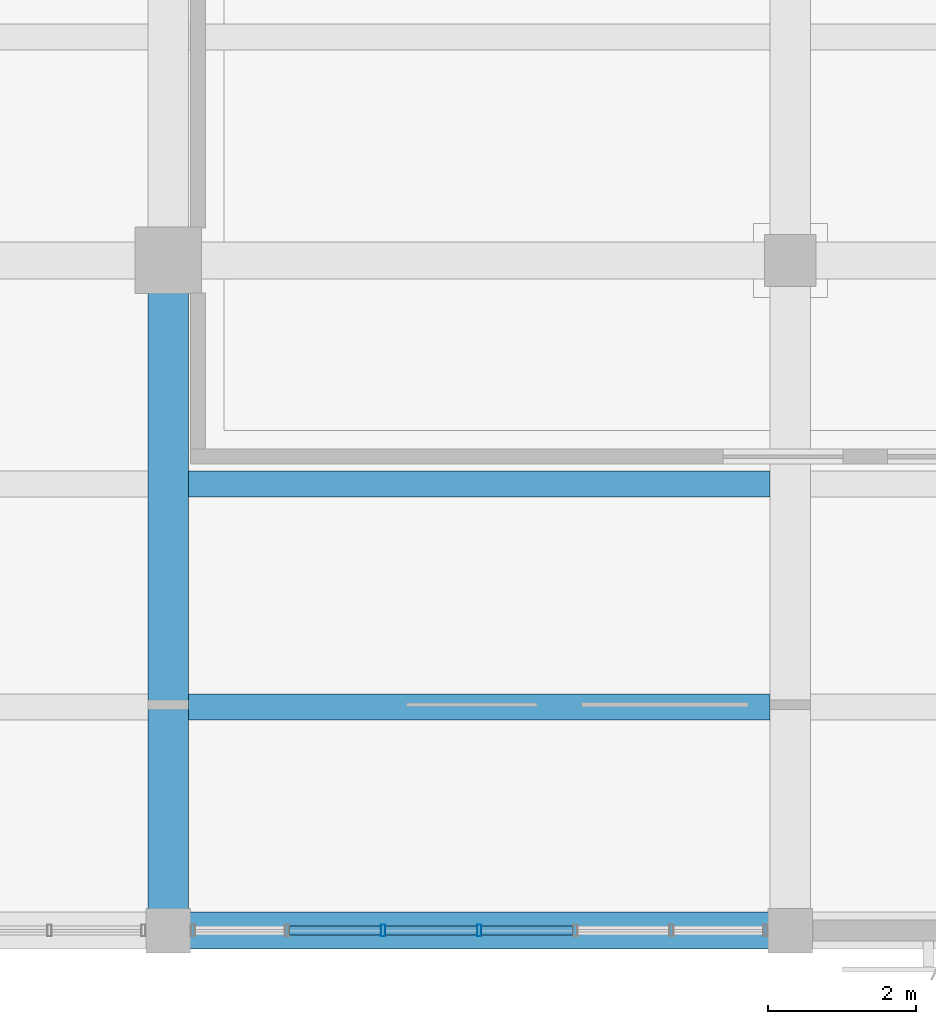
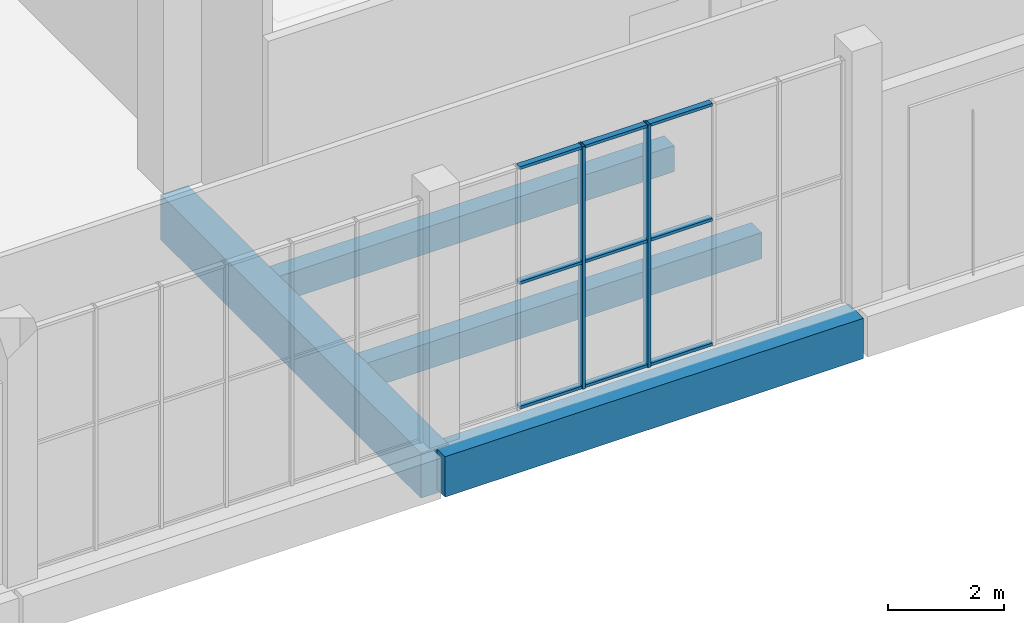
# One storey, part 8 of 132: 11 members, 4 beams, 1 element without a shape of its own.
"""IFC4 building model written with IfcOpenShell, lengths in metres."""

from ifc_helpers import new_model, si_unit, direction, frame, origin, origin_2d, place, context, subcontext, project, spatial, rectangle, hollow_rectangle, extrude, material, material_profile, profile_set, type_object, element, aggregate, save


model = new_model("IFC4")

# Units and contexts
model_context = context("Model", 3, precision=1e-05, world=origin(), true_north=direction((0.0, 1.0)))
body_context = subcontext(model_context, "Body", "Model", "MODEL_VIEW")
ifc_project = project(units=[si_unit("LENGTHUNIT", "METRE"), si_unit("AREAUNIT", "SQUARE_METRE"), si_unit("VOLUMEUNIT", "CUBIC_METRE"), si_unit("PLANEANGLEUNIT", "RADIAN"), si_unit("MASSUNIT", "GRAM", prefix="KILO")], contexts=[model_context])

# Site, building, storey
site_placement = place(None, origin())
site = spatial("IfcSite", under=ifc_project, at=site_placement, CompositionType="ELEMENT")
building_placement = place(site_placement, origin())
building = spatial("IfcBuilding", under=site, at=building_placement, Name="Khurvash Pelagic Aquarium", CompositionType="ELEMENT")
storey_placement = place(building_placement, frame((0.0, 0.0, 5.39990234375)))
storey = spatial("IfcBuildingStorey", under=building, at=storey_placement, Name="L01", CompositionType="ELEMENT", Elevation=5.39990234375)

# Beam
ifc_material_1 = material(Name="Concrete C40/50", Category="concrete")
ifc_material_profile_1 = material_profile(ifc_material_1, rectangle(XDim=0.550048828125, YDim=0.949951171875, at=origin_2d()), Name="RC550X950")
ifc_profile_set_1 = profile_set([ifc_material_profile_1], Name="Concrete C40/50")
beam_type_1 = type_object("IfcBeamType", Name="BM-02", PredefinedType="BEAM", material=ifc_profile_set_1)
beam_1_placement = place(storey_placement, frame((42.0, 2.639892578125, -0.784912109375), z_axis=(0.0, 1.0, 0.0), x_axis=(-1.0, 0.0, 0.0)))
element("IfcBeam", 1, at=beam_1_placement, inside=storey, type_object=beam_type_1, Name="L01 Primary Girder BM-02 00380", PredefinedType="BEAM", context=body_context, shape_type="SweptSolid", body=[
    extrude(rectangle(XDim=0.550048828125, YDim=0.949951171875, at=origin_2d()), origin(), (0.0, 0.0, 1.0), 8.97021484375),
])

# Curtain wall, members
ifc_material_2 = material(Name="Anodised aluminium and low-E laminated glass", Category="aluminium")
curtain_wall_type = type_object("IfcCurtainWallType", Name="CW-05", PredefinedType="USERDEFINED", material=ifc_material_2)
curtain_wall_placement = place(storey_placement, origin())
curtain_wall = element("IfcCurtainWall", 2, at=curtain_wall_placement, inside=storey, type_object=curtain_wall_type, Name="L01 Facade Unitised Curtain Wall CW-05 0103", ObjectType="UNITISED CURTAIN WALL", PredefinedType="USERDEFINED")
ifc_material_3 = material(Name="Extruded aluminium AW-6063-T6", Category="aluminium")
ifc_material_profile_2 = material_profile(ifc_material_3, hollow_rectangle(XDim=0.06005859375, YDim=0.159912109375, WallThickness=0.00390625, at=origin_2d()), Name="CWM60X160X4")
ifc_profile_set_2 = profile_set([ifc_material_profile_2], Name="Extruded aluminium AW-6063-T6")
member_type_1 = type_object("IfcMemberType", Name="CM-02", PredefinedType="MULLION", material=ifc_profile_set_2)
member_1_placement = place(storey_placement, frame((44.901611328125, 2.60009765625, 0.0), z_axis=(0.0, 0.0, 1.0), x_axis=(1.0, 0.0, 0.0)))
member_1 = element("IfcMember", 3, at=member_1_placement, type_object=member_type_1, Name="CW-05 mullion 3", PredefinedType="MULLION", context=body_context, shape_type="SweptSolid", body=[
    extrude(hollow_rectangle(XDim=0.06005859375, YDim=0.159912109375, WallThickness=0.00390625, at=origin_2d()), origin(), (0.0, 0.0, 1.0), 5.10009765625),
])
member_2_placement = place(storey_placement, frame((46.199951171875, 2.60009765625, 0.0), z_axis=(0.0, 0.0, 1.0), x_axis=(1.0, 0.0, 0.0)))
member_2 = element("IfcMember", 4, at=member_2_placement, type_object=member_type_1, Name="CW-05 mullion 4", PredefinedType="MULLION", context=body_context, shape_type="SweptSolid", body=[
    extrude(hollow_rectangle(XDim=0.06005859375, YDim=0.159912109375, WallThickness=0.00390625, at=origin_2d()), origin(), (0.0, 0.0, 1.0), 5.10009765625),
])
ifc_material_profile_3 = material_profile(ifc_material_3, hollow_rectangle(XDim=0.1201171875, YDim=0.06005859375, WallThickness=0.00390625, at=origin_2d()), Name="CWT120X60X4")
ifc_profile_set_3 = profile_set([ifc_material_profile_3], Name="Extruded aluminium AW-6063-T6")
member_type_2 = type_object("IfcMemberType", Name="CT-02", PredefinedType="USERDEFINED", material=ifc_profile_set_3)
member_3_placement = place(storey_placement, frame((43.63330078125, 2.60009765625, 0.030029296875), z_axis=(1.0, 0.0, 0.0), x_axis=(0.0, 1.0, 0.0)))
member_3 = element("IfcMember", 5, at=member_3_placement, type_object=member_type_2, Name="CW-05 transom 2.1", ObjectType="TRANSOM", PredefinedType="USERDEFINED", context=body_context, shape_type="SweptSolid", body=[
    extrude(hollow_rectangle(XDim=0.1201171875, YDim=0.06005859375, WallThickness=0.00390625, at=origin_2d()), origin(), (0.0, 0.0, 1.0), 1.23828125),
])
member_4_placement = place(storey_placement, frame((43.63330078125, 2.60009765625, 2.652099609375), z_axis=(1.0, 0.0, 0.0), x_axis=(0.0, 1.0, 0.0)))
member_4 = element("IfcMember", 6, at=member_4_placement, type_object=member_type_2, Name="CW-05 transom 2.2", ObjectType="TRANSOM", PredefinedType="USERDEFINED", context=body_context, shape_type="SweptSolid", body=[
    extrude(hollow_rectangle(XDim=0.1201171875, YDim=0.06005859375, WallThickness=0.00390625, at=origin_2d()), origin(), (0.0, 0.0, 1.0), 1.23828125),
])
member_5_placement = place(storey_placement, frame((43.63330078125, 2.60009765625, 5.070068359375), z_axis=(1.0, 0.0, 0.0), x_axis=(0.0, 1.0, 0.0)))
member_5 = element("IfcMember", 7, at=member_5_placement, type_object=member_type_2, Name="CW-05 transom 2.3", ObjectType="TRANSOM", PredefinedType="USERDEFINED", context=body_context, shape_type="SweptSolid", body=[
    extrude(hollow_rectangle(XDim=0.1201171875, YDim=0.06005859375, WallThickness=0.00390625, at=origin_2d()), origin(), (0.0, 0.0, 1.0), 1.23828125),
])
member_6_placement = place(storey_placement, frame((44.931640625, 2.60009765625, 0.030029296875), z_axis=(1.0, 0.0, 0.0), x_axis=(0.0, 1.0, 0.0)))
member_6 = element("IfcMember", 8, at=member_6_placement, type_object=member_type_2, Name="CW-05 transom 3.1", ObjectType="TRANSOM", PredefinedType="USERDEFINED", context=body_context, shape_type="SweptSolid", body=[
    extrude(hollow_rectangle(XDim=0.1201171875, YDim=0.06005859375, WallThickness=0.00390625, at=origin_2d()), origin(), (0.0, 0.0, 1.0), 1.23828125),
])
member_7_placement = place(storey_placement, frame((44.931640625, 2.60009765625, 2.652099609375), z_axis=(1.0, 0.0, 0.0), x_axis=(0.0, 1.0, 0.0)))
member_7 = element("IfcMember", 9, at=member_7_placement, type_object=member_type_2, Name="CW-05 transom 3.2", ObjectType="TRANSOM", PredefinedType="USERDEFINED", context=body_context, shape_type="SweptSolid", body=[
    extrude(hollow_rectangle(XDim=0.1201171875, YDim=0.06005859375, WallThickness=0.00390625, at=origin_2d()), origin(), (0.0, 0.0, 1.0), 1.23828125),
])
member_8_placement = place(storey_placement, frame((44.931640625, 2.60009765625, 5.070068359375), z_axis=(1.0, 0.0, 0.0), x_axis=(0.0, 1.0, 0.0)))
member_8 = element("IfcMember", 10, at=member_8_placement, type_object=member_type_2, Name="CW-05 transom 3.3", ObjectType="TRANSOM", PredefinedType="USERDEFINED", context=body_context, shape_type="SweptSolid", body=[
    extrude(hollow_rectangle(XDim=0.1201171875, YDim=0.06005859375, WallThickness=0.00390625, at=origin_2d()), origin(), (0.0, 0.0, 1.0), 1.23828125),
])
member_9_placement = place(storey_placement, frame((46.22998046875, 2.60009765625, 0.030029296875), z_axis=(1.0, 0.0, 0.0), x_axis=(0.0, 1.0, 0.0)))
member_9 = element("IfcMember", 11, at=member_9_placement, type_object=member_type_2, Name="CW-05 transom 4.1", ObjectType="TRANSOM", PredefinedType="USERDEFINED", context=body_context, shape_type="SweptSolid", body=[
    extrude(hollow_rectangle(XDim=0.1201171875, YDim=0.06005859375, WallThickness=0.00390625, at=origin_2d()), origin(), (0.0, 0.0, 1.0), 1.23828125),
])
member_10_placement = place(storey_placement, frame((46.22998046875, 2.60009765625, 2.652099609375), z_axis=(1.0, 0.0, 0.0), x_axis=(0.0, 1.0, 0.0)))
member_10 = element("IfcMember", 12, at=member_10_placement, type_object=member_type_2, Name="CW-05 transom 4.2", ObjectType="TRANSOM", PredefinedType="USERDEFINED", context=body_context, shape_type="SweptSolid", body=[
    extrude(hollow_rectangle(XDim=0.1201171875, YDim=0.06005859375, WallThickness=0.00390625, at=origin_2d()), origin(), (0.0, 0.0, 1.0), 1.23828125),
])
member_11_placement = place(storey_placement, frame((46.22998046875, 2.60009765625, 5.070068359375), z_axis=(1.0, 0.0, 0.0), x_axis=(0.0, 1.0, 0.0)))
member_11 = element("IfcMember", 13, at=member_11_placement, type_object=member_type_2, Name="CW-05 transom 4.3", ObjectType="TRANSOM", PredefinedType="USERDEFINED", context=body_context, shape_type="SweptSolid", body=[
    extrude(hollow_rectangle(XDim=0.1201171875, YDim=0.06005859375, WallThickness=0.00390625, at=origin_2d()), origin(), (0.0, 0.0, 1.0), 1.23828125),
])
aggregate(curtain_wall, [member_1, member_2, member_3, member_4, member_5, member_6, member_7, member_8, member_9, member_10, member_11])

# Beams
ifc_material_4 = material(Name="Concrete C35/45", Category="concrete")
ifc_material_profile_4 = material_profile(ifc_material_4, rectangle(XDim=0.35009765625, YDim=0.550048828125, at=origin_2d()), Name="RC350X550")
ifc_profile_set_4 = profile_set([ifc_material_profile_4], Name="Concrete C35/45")
beam_type_2 = type_object("IfcBeamType", Name="JS-01", PredefinedType="JOIST", material=ifc_profile_set_4)
for number, where, z_axis, x_axis, name in (
    (14, (42.27490234375, 5.616943359375, -0.5849609375), (1.0, 0.0, 0.0), (0.0, 1.0, 0.0), "L01 Floor Joist JS-01 00484"),
    (15, (42.27490234375, 8.633056640625, -0.5849609375), (1.0, 0.0, 0.0), (0.0, 1.0, 0.0), "L01 Floor Joist JS-01 00485"),
):
    element("IfcBeam", number, at=place(storey_placement, frame(where, z_axis=z_axis, x_axis=x_axis)), inside=storey, type_object=beam_type_2, Name=name, PredefinedType="JOIST", context=body_context, shape_type="SweptSolid", body=[
        extrude(rectangle(XDim=0.35009765625, YDim=0.550048828125, at=origin_2d()), origin(), (0.0, 0.0, 1.0), 7.85009765625),
    ])
ifc_material_profile_5 = material_profile(ifc_material_1, rectangle(XDim=0.5, YDim=0.85009765625, at=origin_2d()), Name="RC500X850")
ifc_profile_set_5 = profile_set([ifc_material_profile_5], Name="Concrete C40/50")
beam_type_3 = type_object("IfcBeamType", Name="SEB-03", PredefinedType="SPANDREL", material=ifc_profile_set_5)
beam_2_placement = place(storey_placement, frame((42.0400390625, 2.60009765625, -0.744873046875), z_axis=(1.0, 0.0, 0.0), x_axis=(0.0, 1.0, 0.0)))
element("IfcBeam", 16, at=beam_2_placement, inside=storey, type_object=beam_type_3, Name="L01 Primary Girder SEB-03 00243", PredefinedType="SPANDREL", context=body_context, shape_type="SweptSolid", body=[
    extrude(rectangle(XDim=0.5, YDim=0.85009765625, at=origin_2d()), origin(), (0.0, 0.0, 1.0), 8.320068359375),
])

save(model, "model.ifc")
